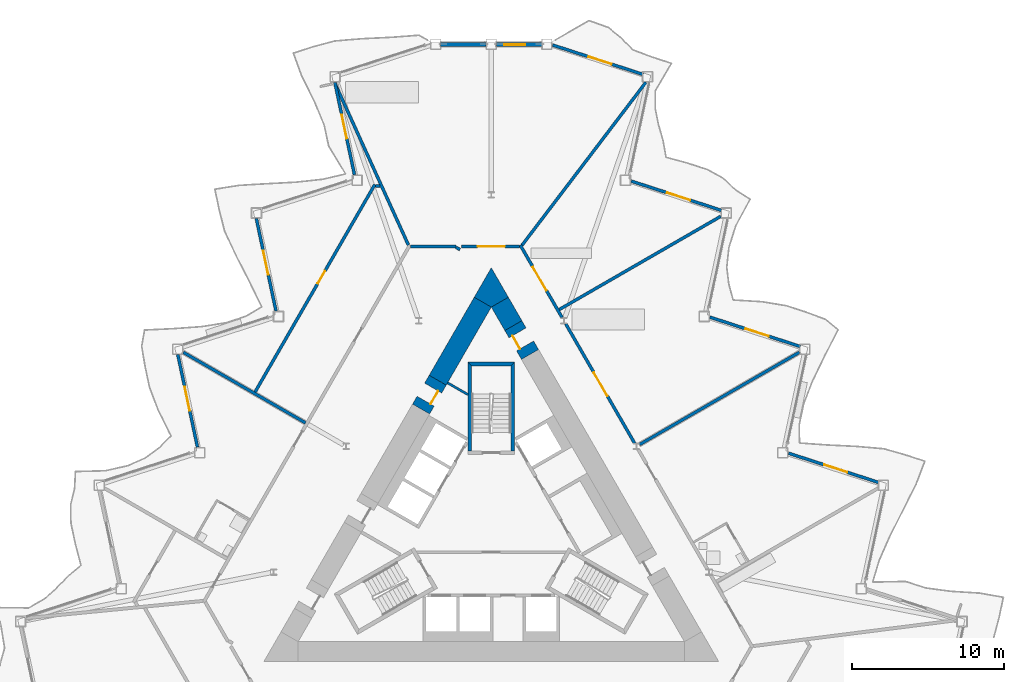
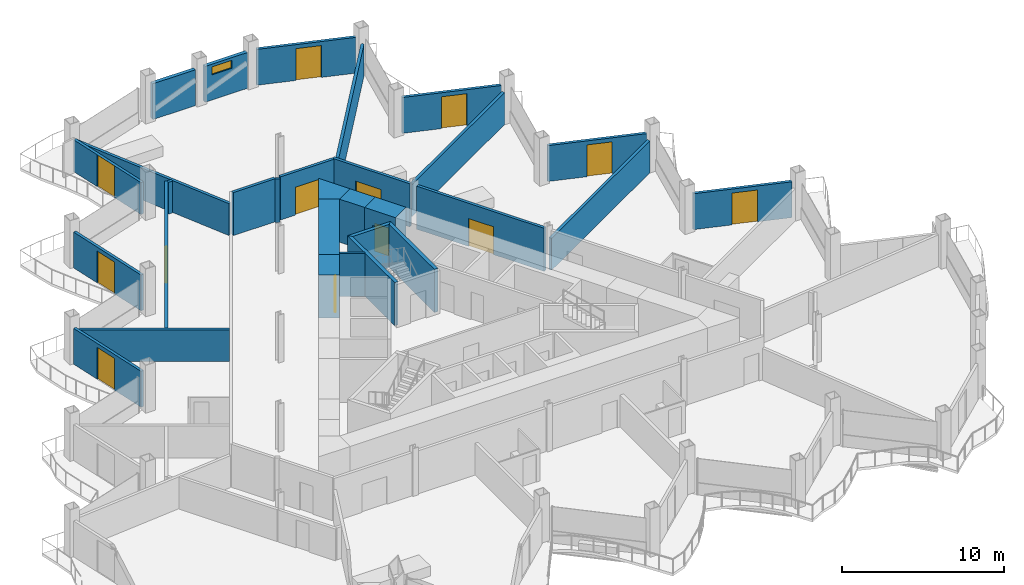
# One storey, part 14 of 23: 30 walls, 13 doors, 1 window, 14 openings.
"""IFC4 building model written with IfcOpenShell, lengths in metres."""

from ifc_helpers import new_model, si_unit, direction, frame, frame_2d, origin, place, context, subcontext, project, spatial, polyline, rectangle, outline, extrude, material, layer, layer_set, type_object, element, fill, save


model = new_model("IFC4")

# Units and contexts
model_context = context("Model", 3, precision=1e-05, world=origin(), true_north=direction((0.0, 1.0)))
body_context = subcontext(model_context, "Body", "Model", "MODEL_VIEW")
ifc_project = project(units=[si_unit("LENGTHUNIT", "METRE"), si_unit("AREAUNIT", "SQUARE_METRE"), si_unit("VOLUMEUNIT", "CUBIC_METRE"), si_unit("PLANEANGLEUNIT", "RADIAN"), si_unit("MASSUNIT", "GRAM", prefix="KILO")], contexts=[model_context])

# Site, building, storey
site_placement = place(None, origin())
site = spatial("IfcSite", under=ifc_project, at=site_placement, CompositionType="ELEMENT")
building_placement = place(site_placement, origin())
building = spatial("IfcBuilding", under=site, at=building_placement, Name="Cormorant Prow Tower", CompositionType="ELEMENT")
storey_placement = place(building_placement, frame((0.0, 0.0, 267.0)))
storey = spatial("IfcBuildingStorey", under=building, at=storey_placement, Name="L60", CompositionType="ELEMENT", Elevation=267.0)

# Walls
ifc_material_1 = material(Name="Gypsum board partition")
ifc_layer_1 = layer(ifc_material_1, 0.14990234375)
ifc_layer_set_1 = layer_set([ifc_layer_1], Name="Gypsum board partition")
wall_type_1 = type_object("IfcWallType", Name="Core partition 150", PredefinedType="PARTITIONING", material=ifc_layer_set_1)
wall_1_placement = place(storey_placement, frame((-2.88623046875, 9.721435546875, 0.0), z_axis=(0.0, 0.0, 1.0), x_axis=(0.865990094875, -0.500061151839, 0.0)))
element("IfcWall", 1, at=wall_1_placement, inside=storey, type_object=wall_type_1, Name="Service room partition", PredefinedType="PARTITIONING", context=body_context, shape_type="SweptSolid", body=[
    extrude(rectangle(XDim=1.559814453125, YDim=0.14990234375, at=frame_2d((0.77978515625, 0.0))), origin(), (0.0, 0.0, 1.0), 3.25),
])
ifc_material_2 = material(Name="Concrete 8000 psi", Category="concrete")
ifc_layer_2 = layer(ifc_material_2, 1.300048828125)
ifc_layer_set_2 = layer_set([ifc_layer_2], Name="Concrete 8000 psi")
wall_type_2 = type_object("IfcWallType", Name="Core shear wall 1300", PredefinedType="SHEAR", material=ifc_layer_set_2)
wall_2_placement = place(storey_placement, frame((1.4560546875, 13.49853515625, 0.0), z_axis=(0.0, 0.0, 1.0), x_axis=(-0.499990639951, 0.866030807744, 0.0)))
element("IfcWall", 2, at=wall_2_placement, inside=storey, type_object=wall_type_2, Name="Core wall", PredefinedType="SHEAR", context=body_context, shape_type="SweptSolid", body=[
    extrude(rectangle(XDim=1.7861328125, YDim=1.300048828125, at=frame_2d((0.89306640625, 0.0))), origin(), (0.0, 0.0, 1.0), 3.25),
])
wall_3_placement = place(storey_placement, frame((-0.56298828125, 15.04541015625, 0.0), z_axis=(0.0, 0.0, 1.0), x_axis=(-0.500011498138, -0.866018765229, 0.0)))
element("IfcWall", 3, at=wall_3_placement, inside=storey, type_object=wall_type_2, Name="Core wall", PredefinedType="SHEAR", context=body_context, shape_type="SweptSolid", body=[
    extrude(rectangle(XDim=5.946533203125, YDim=1.300048828125, at=frame_2d((2.97314453125, 0.0))), origin(), (0.0, 0.0, 1.0), 3.25),
])
wall_4_placement = place(storey_placement, origin())
element("IfcWall", 4, at=wall_4_placement, inside=storey, type_object=wall_type_2, Name="Core wall corner", PredefinedType="SHEAR", context=body_context, shape_type="SweptSolid", body=[
    extrude(outline(polyline([(-1.125732421875, 15.37060546875), (0.0, 17.320556640625), (1.125732421875, 15.37060546875), (0.0, 14.720458984375), (-1.125732421875, 15.37060546875)])), origin(), (0.0, 0.0, 1.0), 3.25),
])

# Wall, opening, door
wall_5_placement = place(storey_placement, frame((-3.536376953125, 9.8955078125, 0.0), z_axis=(0.0, 0.0, 1.0), x_axis=(-0.499981787252, -0.866035918664, 0.0)))
wall_5 = element("IfcWall", 5, at=wall_5_placement, inside=storey, type_object=wall_type_2, Name="Core wall door panel", PredefinedType="SHEAR", context=body_context, shape_type="SweptSolid", body=[
    extrude(rectangle(XDim=2.2001953125, YDim=1.300048828125, at=frame_2d((1.10009765625, 0.0))), origin(), (0.0, 0.0, 1.0), 3.25),
])
opening_1_placement = place(wall_5_placement, frame((0.60009765625, 0.0, 0.0)))
opening_1 = element("IfcOpeningElement", 6, at=opening_1_placement, cuts=wall_5, Name="Opening L60-C16", PredefinedType="OPENING", context=body_context, shape_type="SweptSolid", body=[
    extrude(rectangle(XDim=1.0, YDim=2.10009765625, at=frame_2d((0.5, 1.050048828125))), frame((0.0, 0.659912109375, 0.0), z_axis=(0.0, -1.0, 0.0), x_axis=(1.0, 0.0, 0.0)), (0.0, 0.0, 1.0), 1.320068359375),
])
ifc_material_3 = material(Name="Painted steel", Category="steel")
door_type_1 = type_object("IfcDoorType", Name="Service door 1000x2100", OperationType="NOTDEFINED", PredefinedType="DOOR", material=ifc_material_3)
door_1_placement = place(opening_1_placement, origin())
door_1 = element("IfcDoor", 7, at=door_1_placement, inside=storey, type_object=door_type_1, Name="Core door, Linen store", OperationType="SINGLE_SWING_LEFT", OverallHeight=2.10009765625, OverallWidth=1.0, PredefinedType="DOOR", context=body_context, shape_type="SweptSolid", body=[
    extrude(rectangle(XDim=1.0, YDim=2.10009765625, at=frame_2d((0.5, 1.050048828125))), frame((0.0, 0.40478515625, 0.0), z_axis=(0.0, -1.0, 0.0), x_axis=(1.0, 0.0, 0.0)), (0.0, 0.0, 1.0), 0.050048828125),
])
fill(opening_1, door_1)

wall_6_placement = place(storey_placement, frame((2.555908203125, 11.59326171875, 0.0), z_axis=(0.0, 0.0, 1.0), x_axis=(-0.499946605688, 0.86605622881, 0.0)))
wall_6 = element("IfcWall", 8, at=wall_6_placement, inside=storey, type_object=wall_type_2, Name="Core wall door panel", PredefinedType="SHEAR", context=body_context, shape_type="SweptSolid", body=[
    extrude(rectangle(XDim=2.199951171875, YDim=1.300048828125, at=frame_2d((1.10009765625, 0.0))), origin(), (0.0, 0.0, 1.0), 3.25),
])
opening_2_placement = place(wall_6_placement, frame((0.64990234375, 0.0, 0.0)))
opening_2 = element("IfcOpeningElement", 9, at=opening_2_placement, cuts=wall_6, Name="Opening L60-C17", PredefinedType="OPENING", context=body_context, shape_type="SweptSolid", body=[
    extrude(rectangle(XDim=1.0, YDim=2.10009765625, at=frame_2d((0.5, 1.050048828125))), frame((0.0, 0.659912109375, 0.0), z_axis=(0.0, -1.0, 0.0), x_axis=(1.0, 0.0, 0.0)), (0.0, 0.0, 1.0), 1.320068359375),
])
door_2_placement = place(opening_2_placement, origin())
door_2 = element("IfcDoor", 10, at=door_2_placement, inside=storey, type_object=door_type_1, Name="Core door, Refuse store", OperationType="SINGLE_SWING_LEFT", OverallHeight=2.10009765625, OverallWidth=1.0, PredefinedType="DOOR", context=body_context, shape_type="SweptSolid", body=[
    extrude(rectangle(XDim=1.0, YDim=2.10009765625, at=frame_2d((0.5, 1.050048828125))), frame((0.0, 0.40478515625, 0.0), z_axis=(0.0, -1.0, 0.0), x_axis=(1.0, 0.0, 0.0)), (0.0, 0.0, 1.0), 0.050048828125),
])
fill(opening_2, door_2)

ifc_material_4 = material(Name="Gypsum board corridor wall")
ifc_layer_3 = layer(ifc_material_4, 0.199951171875)
ifc_layer_set_3 = layer_set([ifc_layer_3], Name="Gypsum board corridor wall")
wall_type_3 = type_object("IfcWallType", Name="Corridor wall 200", PredefinedType="PARTITIONING", material=ifc_layer_set_3)
wall_7_placement = place(storey_placement, frame((4.91015625, 13.61572265625, 0.0), z_axis=(0.0, 0.0, 1.0), x_axis=(0.50000207303, -0.866024206917, 0.0)))
wall_7 = element("IfcWall", 11, at=wall_7_placement, inside=storey, type_object=wall_type_3, Name="Corridor wall", PredefinedType="PARTITIONING", context=body_context, shape_type="SweptSolid", body=[
    extrude(rectangle(XDim=9.0947265625, YDim=0.199951171875, at=frame_2d((4.54736328125, 0.0))), origin(), (0.0, 0.0, 1.0), 3.25),
])
opening_3_placement = place(wall_7_placement, frame((3.697998046875, 0.0, 0.0)))
opening_3 = element("IfcOpeningElement", 12, at=opening_3_placement, cuts=wall_7, Name="Opening L60-F11", PredefinedType="OPENING", context=body_context, shape_type="SweptSolid", body=[
    extrude(rectangle(XDim=1.800048828125, YDim=2.10009765625, at=frame_2d((0.89990234375, 1.050048828125))), frame((0.0, 0.10986328125, 0.0), z_axis=(0.0, -1.0, 0.0), x_axis=(1.0, 0.0, 0.0)), (0.0, 0.0, 1.0), 0.219970703125),
])
ifc_material_5 = material(Name="Timber door leaf", Category="wood")
door_type_2 = type_object("IfcDoorType", Name="Double door 1800x2100", OperationType="DOUBLE_DOOR_SINGLE_SWING", PredefinedType="DOOR", material=ifc_material_5)
door_3_placement = place(opening_3_placement, origin())
door_3 = element("IfcDoor", 13, at=door_3_placement, inside=storey, type_object=door_type_2, Name="Library door", OperationType="DOUBLE_DOOR_SINGLE_SWING", OverallHeight=2.10009765625, OverallWidth=1.800048828125, PredefinedType="DOOR", context=body_context, shape_type="SweptSolid", body=[
    extrude(rectangle(XDim=1.800048828125, YDim=2.10009765625, at=frame_2d((0.89990234375, 1.050048828125))), frame((0.0, 0.02490234375, 0.0), z_axis=(0.0, -1.0, 0.0), x_axis=(1.0, 0.0, 0.0)), (0.0, 0.0, 1.0), 0.050048828125),
])
fill(opening_3, door_3)

wall_8_placement = place(storey_placement, frame((1.9130859375, 18.80712890625, 0.0), z_axis=(0.0, 0.0, 1.0), x_axis=(0.499984524817, -0.866034338201, 0.0)))
wall_8 = element("IfcWall", 14, at=wall_8_placement, inside=storey, type_object=wall_type_3, Name="Corridor wall", PredefinedType="PARTITIONING", context=body_context, shape_type="SweptSolid", body=[
    extrude(rectangle(XDim=5.510498046875, YDim=0.199951171875, at=frame_2d((2.75537109375, 0.0))), origin(), (0.0, 0.0, 1.0), 3.25),
])
opening_4_placement = place(wall_8_placement, frame((1.654541015625, 0.0, 0.0)))
opening_4 = element("IfcOpeningElement", 15, at=opening_4_placement, cuts=wall_8, Name="Opening L60-F12", PredefinedType="OPENING", context=body_context, shape_type="SweptSolid", body=[
    extrude(rectangle(XDim=1.800048828125, YDim=2.10009765625, at=frame_2d((0.89990234375, 1.050048828125))), frame((0.0, 0.10986328125, 0.0), z_axis=(0.0, -1.0, 0.0), x_axis=(1.0, 0.0, 0.0)), (0.0, 0.0, 1.0), 0.219970703125),
])
door_4_placement = place(opening_4_placement, origin())
door_4 = element("IfcDoor", 16, at=door_4_placement, inside=storey, type_object=door_type_2, Name="Wellness studio door", OperationType="DOUBLE_DOOR_SINGLE_SWING", OverallHeight=2.10009765625, OverallWidth=1.800048828125, PredefinedType="DOOR", context=body_context, shape_type="SweptSolid", body=[
    extrude(rectangle(XDim=1.800048828125, YDim=2.10009765625, at=frame_2d((0.89990234375, 1.050048828125))), frame((0.0, 0.02490234375, 0.0), z_axis=(0.0, -1.0, 0.0), x_axis=(1.0, 0.0, 0.0)), (0.0, 0.0, 1.0), 0.050048828125),
])
fill(opening_4, door_4)

wall_9_placement = place(storey_placement, frame((-1.962890625, 18.720458984375, 0.0), z_axis=(0.0, 0.0, 1.0), x_axis=(1.0, 0.0, 0.0)))
wall_9 = element("IfcWall", 17, at=wall_9_placement, inside=storey, type_object=wall_type_3, Name="Corridor wall", PredefinedType="PARTITIONING", context=body_context, shape_type="SweptSolid", body=[
    extrude(rectangle(XDim=3.825927734375, YDim=0.199951171875, at=frame_2d((1.9130859375, 0.0))), origin(), (0.0, 0.0, 1.0), 3.25),
])
opening_5_placement = place(wall_9_placement, frame((1.06396484375, 0.0, 0.0)))
opening_5 = element("IfcOpeningElement", 18, at=opening_5_placement, cuts=wall_9, Name="Opening L60-F13", PredefinedType="OPENING", context=body_context, shape_type="SweptSolid", body=[
    extrude(rectangle(XDim=1.800048828125, YDim=2.10009765625, at=frame_2d((0.89990234375, 1.050048828125))), frame((0.0, 0.10986328125, 0.0), z_axis=(0.0, -1.0, 0.0), x_axis=(1.0, 0.0, 0.0)), (0.0, 0.0, 1.0), 0.219970703125),
])
door_5_placement = place(opening_5_placement, origin())
door_5 = element("IfcDoor", 19, at=door_5_placement, inside=storey, type_object=door_type_2, Name="Co-working space door", OperationType="DOUBLE_DOOR_SINGLE_SWING", OverallHeight=2.10009765625, OverallWidth=1.800048828125, PredefinedType="DOOR", context=body_context, shape_type="SweptSolid", body=[
    extrude(rectangle(XDim=1.800048828125, YDim=2.10009765625, at=frame_2d((0.89990234375, 1.050048828125))), frame((0.0, 0.02490234375, 0.0), z_axis=(0.0, -1.0, 0.0), x_axis=(1.0, 0.0, 0.0)), (0.0, 0.0, 1.0), 0.050048828125),
])
fill(opening_5, door_5)

# Walls
wall_10_placement = place(storey_placement, frame((-5.3271484375, 18.720458984375, 0.0), z_axis=(0.0, 0.0, 1.0), x_axis=(1.0, 0.0, 0.0)))
element("IfcWall", 20, at=wall_10_placement, inside=storey, type_object=wall_type_3, Name="Corridor wall", PredefinedType="PARTITIONING", context=body_context, shape_type="SweptSolid", body=[
    extrude(rectangle(XDim=3.002197265625, YDim=0.199951171875, at=frame_2d((1.5009765625, 0.0))), origin(), (0.0, 0.0, 1.0), 3.25),
])
wall_11_placement = place(storey_placement, frame((-2.33837890625, 18.67041015625, 0.0), z_axis=(0.0, 0.0, 1.0), x_axis=(0.866054481515, -0.499949632511, 0.0)))
element("IfcWall", 21, at=wall_11_placement, inside=storey, type_object=wall_type_3, Name="Corridor wall", PredefinedType="PARTITIONING", context=body_context, shape_type="SweptSolid", body=[
    extrude(rectangle(XDim=0.31005859375, YDim=0.199951171875, at=frame_2d((0.155029296875, 0.0))), origin(), (0.0, 0.0, 1.0), 3.25),
])

# Wall, opening, door
ifc_material_6 = material(Name="Gypsum board demising wall")
ifc_layer_4 = layer(ifc_material_6, 0.199951171875)
ifc_layer_set_4 = layer_set([ifc_layer_4], Name="Gypsum board demising wall")
wall_type_4 = type_object("IfcWallType", Name="Demising wall 200", PredefinedType="PARTITIONING", material=ifc_layer_set_4)
wall_12_placement = place(storey_placement, frame((-15.590576171875, 9.11669921875, 0.0), z_axis=(0.0, 0.0, 1.0), x_axis=(0.499994281579, 0.866028705291, 0.0)))
wall_12 = element("IfcWall", 22, at=wall_12_placement, inside=storey, type_object=wall_type_4, Name="Demising wall", PredefinedType="PARTITIONING", context=body_context, shape_type="SweptSolid", body=[
    extrude(rectangle(XDim=15.808349609375, YDim=0.199951171875, at=frame_2d((7.904296875, 0.0))), origin(), (0.0, 0.0, 1.0), 2.404296875),
])
opening_6_placement = place(wall_12_placement, frame((8.28271484375, 0.0, 0.0)))
opening_6 = element("IfcOpeningElement", 23, at=opening_6_placement, cuts=wall_12, Name="Opening L60-F15", PredefinedType="OPENING", context=body_context, shape_type="SweptSolid", body=[
    extrude(rectangle(XDim=0.949951171875, YDim=2.10009765625, at=frame_2d((0.47509765625, 1.050048828125))), frame((0.0, 0.10986328125, 0.0), z_axis=(0.0, -1.0, 0.0), x_axis=(1.0, 0.0, 0.0)), (0.0, 0.0, 1.0), 0.219970703125),
])
ifc_material_7 = material(Name="Timber door leaf", Category="wood")
door_type_3 = type_object("IfcDoorType", Name="Store door 950x2100", OperationType="NOTDEFINED", PredefinedType="DOOR", material=ifc_material_7)
door_6_placement = place(opening_6_placement, origin())
door_6 = element("IfcDoor", 24, at=door_6_placement, inside=storey, type_object=door_type_3, Name="Ice and vending room door", OperationType="SINGLE_SWING_LEFT", OverallHeight=2.10009765625, OverallWidth=0.949951171875, PredefinedType="DOOR", context=body_context, shape_type="SweptSolid", body=[
    extrude(rectangle(XDim=0.949951171875, YDim=2.10009765625, at=frame_2d((0.47509765625, 1.050048828125))), frame((0.0, 0.02490234375, 0.0), z_axis=(0.0, -1.0, 0.0), x_axis=(1.0, 0.0, 0.0)), (0.0, 0.0, 1.0), 0.050048828125),
])
fill(opening_6, door_6)

# Walls
wall_13_placement = place(storey_placement, frame((2.023681640625, 18.800048828125, 0.0), z_axis=(0.0, 0.0, 1.0), x_axis=(0.605225740135, 0.796053894832, 0.0)))
element("IfcWall", 25, at=wall_13_placement, inside=storey, type_object=wall_type_4, Name="Demising wall", PredefinedType="PARTITIONING", context=body_context, shape_type="SweptSolid", body=[
    extrude(rectangle(XDim=13.511474609375, YDim=0.199951171875, at=frame_2d((6.755859375, 0.0))), origin(), (0.0, 0.0, 1.0), 2.404296875),
])
wall_14_placement = place(storey_placement, frame((4.482421875, 14.556884765625, 0.0), z_axis=(0.0, 0.0, 1.0), x_axis=(0.866030620616, 0.499990964073, 0.0)))
element("IfcWall", 26, at=wall_14_placement, inside=storey, type_object=wall_type_4, Name="Demising wall", PredefinedType="PARTITIONING", context=body_context, shape_type="SweptSolid", body=[
    extrude(rectangle(XDim=12.304443359375, YDim=0.199951171875, at=frame_2d((6.15234375, 0.0))), origin(), (0.0, 0.0, 1.0), 2.404296875),
])
wall_15_placement = place(storey_placement, frame((9.7880859375, 5.651123046875, 0.0), z_axis=(0.0, 0.0, 1.0), x_axis=(0.866024549986, 0.50000147882, 0.0)))
element("IfcWall", 27, at=wall_15_placement, inside=storey, type_object=wall_type_4, Name="Demising wall", PredefinedType="PARTITIONING", context=body_context, shape_type="SweptSolid", body=[
    extrude(rectangle(XDim=12.1689453125, YDim=0.199951171875, at=frame_2d((6.08447265625, 0.0))), origin(), (0.0, 0.0, 1.0), 2.404296875),
])
wall_16_placement = place(storey_placement, origin())
element("IfcWall", 28, at=wall_16_placement, inside=storey, type_object=wall_type_4, Name="Demising wall", PredefinedType="PARTITIONING", context=body_context, shape_type="SweptSolid", body=[
    extrude(outline(polyline([(-5.5595703125, 18.77001953125), (-10.0166015625, 28.58203125), (-10.209716796875, 29.490966796875), (-5.37744140625, 18.852783203125), (-5.5595703125, 18.77001953125)])), origin(), (0.0, 0.0, 1.0), 2.404296875),
])
wall_17_placement = place(storey_placement, frame((-20.32666015625, 11.735595703125, 0.0), z_axis=(0.0, 0.0, 1.0), x_axis=(0.866022277917, -0.500005414122, 0.0)))
element("IfcWall", 29, at=wall_17_placement, inside=storey, type_object=wall_type_4, Name="Demising wall", PredefinedType="PARTITIONING", context=body_context, shape_type="SweptSolid", body=[
    extrude(rectangle(XDim=9.31103515625, YDim=0.199951171875, at=frame_2d((4.655517578125, 0.0))), origin(), (0.0, 0.0, 1.0), 2.404296875),
])
wall_18_placement = place(storey_placement, frame((-7.636474609375, 22.720458984375, 0.0), z_axis=(0.0, 0.0, 1.0), x_axis=(1.0, 0.0, 0.0)))
element("IfcWall", 30, at=wall_18_placement, inside=storey, type_object=wall_type_4, Name="Demising wall", PredefinedType="PARTITIONING", context=body_context, shape_type="SweptSolid", body=[
    extrude(rectangle(XDim=0.292236328125, YDim=0.199951171875, at=frame_2d((0.14599609375, 0.0))), origin(), (0.0, 0.0, 1.0), 2.404296875),
])
ifc_material_8 = material(Name="Concrete 8000 psi", Category="concrete")
ifc_layer_5 = layer(ifc_material_8, 0.25)
ifc_layer_set_5 = layer_set([ifc_layer_5], Name="Concrete 8000 psi")
wall_type_5 = type_object("IfcWallType", Name="Stair wall 250", PredefinedType="SHEAR", material=ifc_layer_set_5)
wall_19_placement = place(storey_placement, origin())
element("IfcWall", 31, at=wall_19_placement, inside=storey, type_object=wall_type_5, Name="Stair ST3 enclosure wall (flank)", PredefinedType="SHEAR", context=body_context, shape_type="SweptSolid", body=[
    extrude(outline(polyline([(1.5439453125, 5.23681640625), (1.5439453125, 11.0869140625), (1.2939453125, 10.8369140625), (1.2939453125, 5.23681640625), (1.5439453125, 5.23681640625)])), origin(), (0.0, 0.0, 1.0), 3.25),
])
wall_20_placement = place(storey_placement, origin())
element("IfcWall", 32, at=wall_20_placement, inside=storey, type_object=wall_type_5, Name="Stair ST3 enclosure wall (end)", PredefinedType="SHEAR", context=body_context, shape_type="SweptSolid", body=[
    extrude(outline(polyline([(1.5439453125, 11.0869140625), (-1.5439453125, 11.0869140625), (-1.2939453125, 10.8369140625), (1.2939453125, 10.8369140625), (1.5439453125, 11.0869140625)])), origin(), (0.0, 0.0, 1.0), 3.25),
])
wall_21_placement = place(storey_placement, origin())
element("IfcWall", 33, at=wall_21_placement, inside=storey, type_object=wall_type_5, Name="Stair ST3 enclosure wall (flank)", PredefinedType="SHEAR", context=body_context, shape_type="SweptSolid", body=[
    extrude(outline(polyline([(-1.2939453125, 10.8369140625), (-1.5439453125, 11.0869140625), (-1.5439453125, 5.23681640625), (-1.2939453125, 5.23681640625), (-1.2939453125, 10.8369140625)])), origin(), (0.0, 0.0, 1.0), 3.25),
])

# Wall, opening, window
ifc_material_9 = material(Name="Terracotta", Category="masonry")
ifc_layer_6 = layer(ifc_material_9, 0.25)
ifc_layer_set_6 = layer_set([ifc_layer_6], Name="Terracotta")
wall_type_6 = type_object("IfcWallType", Name="Terracotta bay wall 250", PredefinedType="SOLIDWALL", material=ifc_layer_set_6)
wall_22_placement = place(storey_placement, frame((3.391845703125, 32.044677734375, 0.0), z_axis=(0.0, 0.0, 1.0), x_axis=(-1.0, 0.0, 0.0)))
wall_22 = element("IfcWall", 34, at=wall_22_placement, inside=storey, type_object=wall_type_6, Name="Terracotta bay wall N00", PredefinedType="SOLIDWALL", context=body_context, shape_type="SweptSolid", body=[
    extrude(rectangle(XDim=3.041748046875, YDim=0.25, at=frame_2d((1.52099609375, 0.0))), origin(), (0.0, 0.0, 1.0), 2.700927734375),
])
opening_7_placement = place(wall_22_placement, frame((1.14990234375, 0.0, 1.89990234375)))
opening_7 = element("IfcOpeningElement", 35, at=opening_7_placement, cuts=wall_22, Name="Opening WN6", PredefinedType="OPENING", context=body_context, shape_type="SweptSolid", body=[
    extrude(rectangle(XDim=1.39990234375, YDim=0.60009765625, at=frame_2d((0.699951171875, 0.300048828125))), frame((0.0, 0.135009765625, 0.0), z_axis=(0.0, -1.0, 0.0), x_axis=(1.0, 0.0, 0.0)), (0.0, 0.0, 1.0), 0.27001953125),
])
ifc_material_10 = material(Name="Aluminium 6063-T6", Category="aluminium")
window_type = type_object("IfcWindowType", Name="Corner bay window 1400x600", PartitioningType="SINGLE_PANEL", PredefinedType="WINDOW", material=ifc_material_10)
window_placement = place(opening_7_placement, origin())
window = element("IfcWindow", 36, at=window_placement, inside=storey, type_object=window_type, Name="Corner bay window N00", OverallHeight=0.60009765625, OverallWidth=1.39990234375, PartitioningType="SINGLE_PANEL", PredefinedType="WINDOW", context=body_context, shape_type="SweptSolid", body=[
    extrude(rectangle(XDim=1.39990234375, YDim=0.60009765625, at=frame_2d((0.699951171875, 0.300048828125))), frame((0.0, 0.030029296875, 0.0), z_axis=(0.0, -1.0, 0.0), x_axis=(1.0, 0.0, 0.0)), (0.0, 0.0, 1.0), 0.06005859375),
])
fill(opening_7, window)

# Wall
wall_23_placement = place(storey_placement, frame((-0.35009765625, 32.044677734375, 0.0), z_axis=(0.0, 0.0, 1.0), x_axis=(-1.0, 0.0, 0.0)))
element("IfcWall", 37, at=wall_23_placement, inside=storey, type_object=wall_type_6, Name="Terracotta bay wall N01", PredefinedType="SOLIDWALL", context=body_context, shape_type="SweptSolid", body=[
    extrude(rectangle(XDim=3.041748046875, YDim=0.25, at=frame_2d((1.52099609375, 0.0))), origin(), (0.0, 0.0, 1.0), 2.700927734375),
])

# Wall, opening, door
ifc_material_11 = material(Name="Terracotta", Category="masonry")
ifc_layer_7 = layer(ifc_material_11, 0.199951171875)
ifc_layer_set_7 = layer_set([ifc_layer_7], Name="Terracotta")
wall_type_7 = type_object("IfcWallType", Name="Terracotta jamb wall 200", PredefinedType="SOLIDWALL", material=ifc_layer_set_7)
wall_24_placement = place(storey_placement, frame((25.566162109375, 3.14453125, 0.0), z_axis=(0.0, 0.0, 1.0), x_axis=(-0.951057270474, 0.309014673241, 0.0)))
wall_24 = element("IfcWall", 38, at=wall_24_placement, inside=storey, type_object=wall_type_7, Name="Terracotta jamb wall ENE03", PredefinedType="SOLIDWALL", context=body_context, shape_type="SweptSolid", body=[
    extrude(rectangle(XDim=6.262939453125, YDim=0.199951171875, at=frame_2d((3.13134765625, 0.0))), origin(), (0.0, 0.0, 1.0), 2.700927734375),
])
opening_8_placement = place(wall_24_placement, frame((2.18603515625, 0.0, 0.0)))
opening_8 = element("IfcOpeningElement", 39, at=opening_8_placement, cuts=wall_24, Name="Opening ED60.07", PredefinedType="OPENING", context=body_context, shape_type="SweptSolid", body=[
    extrude(rectangle(XDim=1.60009765625, YDim=2.39990234375, at=frame_2d((0.800048828125, 1.199951171875))), frame((0.0, 0.10986328125, 0.0), z_axis=(0.0, -1.0, 0.0), x_axis=(1.0, 0.0, 0.0)), (0.0, 0.0, 1.0), 0.219970703125),
])
ifc_material_12 = material(Name="Aluminium 6063-T6", Category="aluminium")
door_type_4 = type_object("IfcDoorType", Name="Balcony door 1600x2400", OperationType="DOUBLE_DOOR_SINGLE_SWING", PredefinedType="DOOR", material=ifc_material_12)
door_7_placement = place(opening_8_placement, origin())
door_7 = element("IfcDoor", 40, at=door_7_placement, inside=storey, type_object=door_type_4, Name="Balcony door ENE03 ED60.07", OperationType="DOUBLE_DOOR_SINGLE_SWING", OverallHeight=2.39990234375, OverallWidth=1.60009765625, PredefinedType="DOOR", context=body_context, shape_type="SweptSolid", body=[
    extrude(rectangle(XDim=1.60009765625, YDim=2.39990234375, at=frame_2d((0.800048828125, 1.199951171875))), frame((0.0, 0.02490234375, 0.0), z_axis=(0.0, -1.0, 0.0), x_axis=(1.0, 0.0, 0.0)), (0.0, 0.0, 1.0), 0.050048828125),
])
fill(opening_8, door_7)

wall_25_placement = place(storey_placement, frame((20.383544921875, 12.12109375, 0.0), z_axis=(0.0, 0.0, 1.0), x_axis=(-0.951051239427, 0.309033234433, 0.0)))
wall_25 = element("IfcWall", 41, at=wall_25_placement, inside=storey, type_object=wall_type_7, Name="Terracotta jamb wall ENE05", PredefinedType="SOLIDWALL", context=body_context, shape_type="SweptSolid", body=[
    extrude(rectangle(XDim=6.268798828125, YDim=0.199951171875, at=frame_2d((3.13427734375, 0.0))), origin(), (0.0, 0.0, 1.0), 2.700927734375),
])
opening_9_placement = place(wall_25_placement, frame((2.18603515625, 0.0, 0.0)))
opening_9 = element("IfcOpeningElement", 42, at=opening_9_placement, cuts=wall_25, Name="Opening ED60.08", PredefinedType="OPENING", context=body_context, shape_type="SweptSolid", body=[
    extrude(rectangle(XDim=1.60009765625, YDim=2.39990234375, at=frame_2d((0.800048828125, 1.199951171875))), frame((0.0, 0.10986328125, 0.0), z_axis=(0.0, -1.0, 0.0), x_axis=(1.0, 0.0, 0.0)), (0.0, 0.0, 1.0), 0.219970703125),
])
door_8_placement = place(opening_9_placement, origin())
door_8 = element("IfcDoor", 43, at=door_8_placement, inside=storey, type_object=door_type_4, Name="Balcony door ENE05 ED60.08", OperationType="DOUBLE_DOOR_SINGLE_SWING", OverallHeight=2.39990234375, OverallWidth=1.60009765625, PredefinedType="DOOR", context=body_context, shape_type="SweptSolid", body=[
    extrude(rectangle(XDim=1.60009765625, YDim=2.39990234375, at=frame_2d((0.800048828125, 1.199951171875))), frame((0.0, 0.02490234375, 0.0), z_axis=(0.0, -1.0, 0.0), x_axis=(1.0, 0.0, 0.0)), (0.0, 0.0, 1.0), 0.050048828125),
])
fill(opening_9, door_8)

wall_26_placement = place(storey_placement, frame((15.200927734375, 21.09765625, 0.0), z_axis=(0.0, 0.0, 1.0), x_axis=(-0.95105665506, 0.309016567299, 0.0)))
wall_26 = element("IfcWall", 44, at=wall_26_placement, inside=storey, type_object=wall_type_7, Name="Terracotta jamb wall ENE07", PredefinedType="SOLIDWALL", context=body_context, shape_type="SweptSolid", body=[
    extrude(rectangle(XDim=6.274658203125, YDim=0.199951171875, at=frame_2d((3.13720703125, 0.0))), origin(), (0.0, 0.0, 1.0), 2.700927734375),
])
opening_10_placement = place(wall_26_placement, frame((2.18603515625, 0.0, 0.0)))
opening_10 = element("IfcOpeningElement", 45, at=opening_10_placement, cuts=wall_26, Name="Opening ED60.09", PredefinedType="OPENING", context=body_context, shape_type="SweptSolid", body=[
    extrude(rectangle(XDim=1.60009765625, YDim=2.39990234375, at=frame_2d((0.800048828125, 1.199951171875))), frame((0.0, 0.10986328125, 0.0), z_axis=(0.0, -1.0, 0.0), x_axis=(1.0, 0.0, 0.0)), (0.0, 0.0, 1.0), 0.219970703125),
])
door_9_placement = place(opening_10_placement, origin())
door_9 = element("IfcDoor", 46, at=door_9_placement, inside=storey, type_object=door_type_4, Name="Balcony door ENE07 ED60.09", OperationType="DOUBLE_DOOR_SINGLE_SWING", OverallHeight=2.39990234375, OverallWidth=1.60009765625, PredefinedType="DOOR", context=body_context, shape_type="SweptSolid", body=[
    extrude(rectangle(XDim=1.60009765625, YDim=2.39990234375, at=frame_2d((0.800048828125, 1.199951171875))), frame((0.0, 0.02490234375, 0.0), z_axis=(0.0, -1.0, 0.0), x_axis=(1.0, 0.0, 0.0)), (0.0, 0.0, 1.0), 0.050048828125),
])
fill(opening_10, door_9)

wall_27_placement = place(storey_placement, frame((10.018310546875, 30.074462890625, 0.0), z_axis=(0.0, 0.0, 1.0), x_axis=(-0.951062060282, 0.308999931218, 0.0)))
wall_27 = element("IfcWall", 47, at=wall_27_placement, inside=storey, type_object=wall_type_7, Name="Terracotta jamb wall ENE09", PredefinedType="SOLIDWALL", context=body_context, shape_type="SweptSolid", body=[
    extrude(rectangle(XDim=6.280517578125, YDim=0.199951171875, at=frame_2d((3.14013671875, 0.0))), origin(), (0.0, 0.0, 1.0), 2.700927734375),
])
opening_11_placement = place(wall_27_placement, frame((2.18603515625, 0.0, 0.0)))
opening_11 = element("IfcOpeningElement", 48, at=opening_11_placement, cuts=wall_27, Name="Opening ED60.10", PredefinedType="OPENING", context=body_context, shape_type="SweptSolid", body=[
    extrude(rectangle(XDim=1.60009765625, YDim=2.39990234375, at=frame_2d((0.800048828125, 1.199951171875))), frame((0.0, 0.10986328125, 0.0), z_axis=(0.0, -1.0, 0.0), x_axis=(1.0, 0.0, 0.0)), (0.0, 0.0, 1.0), 0.219970703125),
])
door_10_placement = place(opening_11_placement, origin())
door_10 = element("IfcDoor", 49, at=door_10_placement, inside=storey, type_object=door_type_4, Name="Balcony door ENE09 ED60.10", OperationType="DOUBLE_DOOR_SINGLE_SWING", OverallHeight=2.39990234375, OverallWidth=1.60009765625, PredefinedType="DOOR", context=body_context, shape_type="SweptSolid", body=[
    extrude(rectangle(XDim=1.60009765625, YDim=2.39990234375, at=frame_2d((0.800048828125, 1.199951171875))), frame((0.0, 0.02490234375, 0.0), z_axis=(0.0, -1.0, 0.0), x_axis=(1.0, 0.0, 0.0)), (0.0, 0.0, 1.0), 0.050048828125),
])
fill(opening_11, door_10)

wall_28_placement = place(storey_placement, frame((-10.32373046875, 29.54541015625, 0.0), z_axis=(0.0, 0.0, 1.0), x_axis=(0.207930490886, -0.978143604467, 0.0)))
wall_28 = element("IfcWall", 50, at=wall_28_placement, inside=storey, type_object=wall_type_7, Name="Terracotta jamb wall WNW01", PredefinedType="SOLIDWALL", context=body_context, shape_type="SweptSolid", body=[
    extrude(rectangle(XDim=6.227783203125, YDim=0.199951171875, at=frame_2d((3.11376953125, 0.0))), origin(), (0.0, 0.0, 1.0), 2.404296875),
])
opening_12_placement = place(wall_28_placement, frame((2.18603515625, 0.0, 0.0)))
opening_12 = element("IfcOpeningElement", 51, at=opening_12_placement, cuts=wall_28, Name="Opening ED60.11", PredefinedType="OPENING", context=body_context, shape_type="SweptSolid", body=[
    extrude(rectangle(XDim=1.60009765625, YDim=2.39990234375, at=frame_2d((0.800048828125, 1.199951171875))), frame((0.0, 0.10986328125, 0.0), z_axis=(0.0, -1.0, 0.0), x_axis=(1.0, 0.0, 0.0)), (0.0, 0.0, 1.0), 0.219970703125),
])
door_11_placement = place(opening_12_placement, origin())
door_11 = element("IfcDoor", 52, at=door_11_placement, inside=storey, type_object=door_type_4, Name="Balcony door WNW01 ED60.11", OperationType="DOUBLE_DOOR_SINGLE_SWING", OverallHeight=2.39990234375, OverallWidth=1.60009765625, PredefinedType="DOOR", context=body_context, shape_type="SweptSolid", body=[
    extrude(rectangle(XDim=1.60009765625, YDim=2.39990234375, at=frame_2d((0.800048828125, 1.199951171875))), frame((0.0, 0.02490234375, 0.0), z_axis=(0.0, -1.0, 0.0), x_axis=(1.0, 0.0, 0.0)), (0.0, 0.0, 1.0), 0.050048828125),
])
fill(opening_12, door_11)

wall_29_placement = place(storey_placement, frame((-15.50634765625, 20.56884765625, 0.0), z_axis=(0.0, 0.0, 1.0), x_axis=(0.207911652145, -0.978147608954, 0.0)))
wall_29 = element("IfcWall", 53, at=wall_29_placement, inside=storey, type_object=wall_type_7, Name="Terracotta jamb wall WNW03", PredefinedType="SOLIDWALL", context=body_context, shape_type="SweptSolid", body=[
    extrude(rectangle(XDim=6.237548828125, YDim=0.199951171875, at=frame_2d((3.11865234375, 0.0))), origin(), (0.0, 0.0, 1.0), 2.700927734375),
])
opening_13_placement = place(wall_29_placement, frame((2.18603515625, 0.0, 0.0)))
opening_13 = element("IfcOpeningElement", 54, at=opening_13_placement, cuts=wall_29, Name="Opening ED60.12", PredefinedType="OPENING", context=body_context, shape_type="SweptSolid", body=[
    extrude(rectangle(XDim=1.60009765625, YDim=2.39990234375, at=frame_2d((0.800048828125, 1.199951171875))), frame((0.0, 0.10986328125, 0.0), z_axis=(0.0, -1.0, 0.0), x_axis=(1.0, 0.0, 0.0)), (0.0, 0.0, 1.0), 0.219970703125),
])
door_12_placement = place(opening_13_placement, origin())
door_12 = element("IfcDoor", 55, at=door_12_placement, inside=storey, type_object=door_type_4, Name="Balcony door WNW03 ED60.12", OperationType="DOUBLE_DOOR_SINGLE_SWING", OverallHeight=2.39990234375, OverallWidth=1.60009765625, PredefinedType="DOOR", context=body_context, shape_type="SweptSolid", body=[
    extrude(rectangle(XDim=1.60009765625, YDim=2.39990234375, at=frame_2d((0.800048828125, 1.199951171875))), frame((0.0, 0.02490234375, 0.0), z_axis=(0.0, -1.0, 0.0), x_axis=(1.0, 0.0, 0.0)), (0.0, 0.0, 1.0), 0.050048828125),
])
fill(opening_13, door_12)

wall_30_placement = place(storey_placement, frame((-20.68896484375, 11.592041015625, 0.0), z_axis=(0.0, 0.0, 1.0), x_axis=(0.207900820141, -0.978149911304, 0.0)))
wall_30 = element("IfcWall", 56, at=wall_30_placement, inside=storey, type_object=wall_type_7, Name="Terracotta jamb wall WNW05", PredefinedType="SOLIDWALL", context=body_context, shape_type="SweptSolid", body=[
    extrude(rectangle(XDim=6.247314453125, YDim=0.199951171875, at=frame_2d((3.12353515625, 0.0))), origin(), (0.0, 0.0, 1.0), 2.700927734375),
])
opening_14_placement = place(wall_30_placement, frame((2.18603515625, 0.0, 0.0)))
opening_14 = element("IfcOpeningElement", 57, at=opening_14_placement, cuts=wall_30, Name="Opening ED60.13", PredefinedType="OPENING", context=body_context, shape_type="SweptSolid", body=[
    extrude(rectangle(XDim=1.60009765625, YDim=2.39990234375, at=frame_2d((0.800048828125, 1.199951171875))), frame((0.0, 0.10986328125, 0.0), z_axis=(0.0, -1.0, 0.0), x_axis=(1.0, 0.0, 0.0)), (0.0, 0.0, 1.0), 0.219970703125),
])
door_13_placement = place(opening_14_placement, origin())
door_13 = element("IfcDoor", 58, at=door_13_placement, inside=storey, type_object=door_type_4, Name="Balcony door WNW05 ED60.13", OperationType="DOUBLE_DOOR_SINGLE_SWING", OverallHeight=2.39990234375, OverallWidth=1.60009765625, PredefinedType="DOOR", context=body_context, shape_type="SweptSolid", body=[
    extrude(rectangle(XDim=1.60009765625, YDim=2.39990234375, at=frame_2d((0.800048828125, 1.199951171875))), frame((0.0, 0.02490234375, 0.0), z_axis=(0.0, -1.0, 0.0), x_axis=(1.0, 0.0, 0.0)), (0.0, 0.0, 1.0), 0.050048828125),
])
fill(opening_14, door_13)

save(model, "model.ifc")
